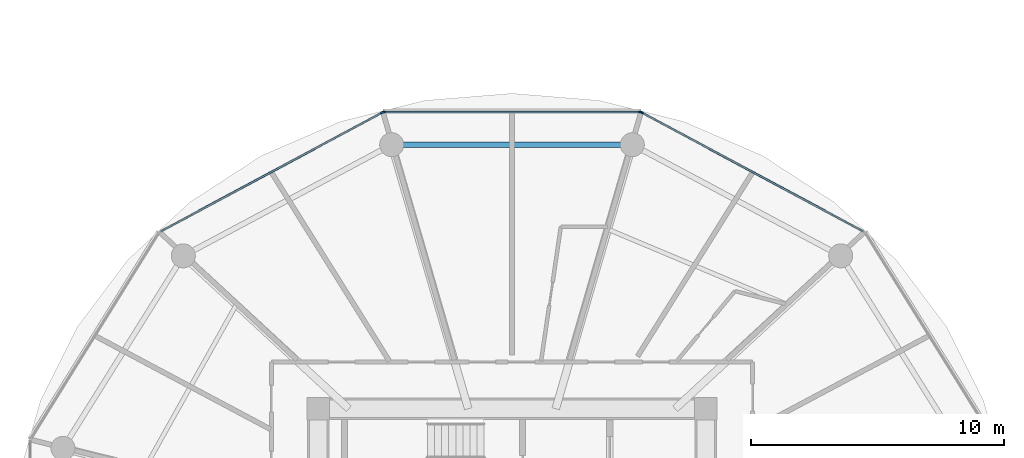
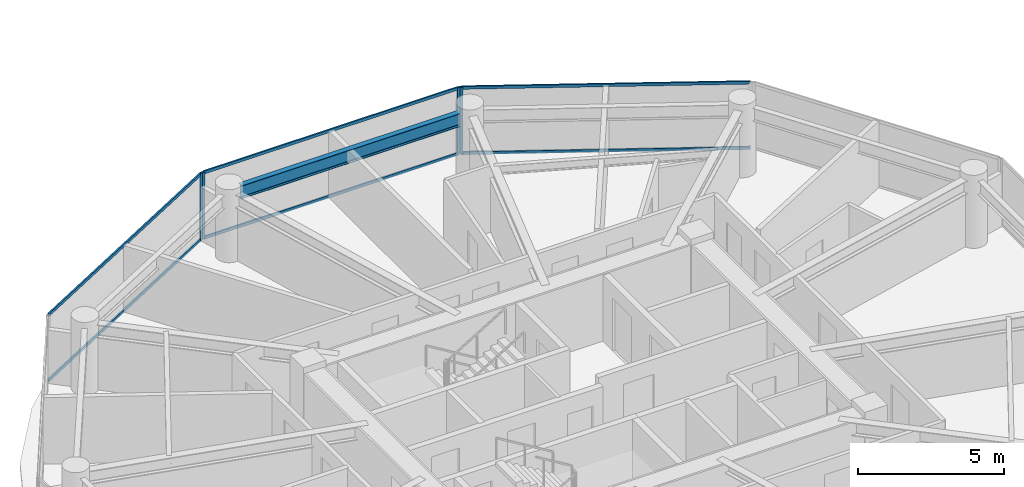
# One storey, part 9 of 26: 10 members, 1 beam, 3 elements without a shape of their own.
"""IFC4 building model written with IfcOpenShell, lengths in metres."""

from ifc_helpers import new_model, si_unit, direction, frame, origin, origin_2d, place, context, subcontext, project, spatial, rectangle, i_section, extrude, source, transform, mapped, material, layer, layer_set, material_profile, profile_set, type_object, type_shapes, element, aggregate, save


model = new_model("IFC4")

# Units and contexts
model_context = context("Model", 3, precision=1e-05, world=origin(), true_north=direction((0.0, 1.0)))
body_context = subcontext(model_context, "Body", "Model", "MODEL_VIEW")
ifc_project = project(units=[si_unit("LENGTHUNIT", "METRE"), si_unit("AREAUNIT", "SQUARE_METRE"), si_unit("VOLUMEUNIT", "CUBIC_METRE"), si_unit("PLANEANGLEUNIT", "RADIAN"), si_unit("MASSUNIT", "GRAM", prefix="KILO")], contexts=[model_context])

# Site, building, storey
site_placement = place(None, origin())
site = spatial("IfcSite", under=ifc_project, at=site_placement, CompositionType="ELEMENT")
building_placement = place(site_placement, origin())
building = spatial("IfcBuilding", under=site, at=building_placement, Name="Norrkilde Senior Care Towers", CompositionType="ELEMENT")
storey_placement = place(building_placement, frame((0.0, 0.0, 55.14990234375)))
storey = spatial("IfcBuildingStorey", under=building, at=storey_placement, Name="L16", CompositionType="ELEMENT", Elevation=55.14990234375)

# Beam
ifc_material_1 = material(Name="Steel S355", Category="steel")
ifc_material_profile_1 = material_profile(ifc_material_1, i_section(OverallWidth=0.2099609375, OverallDepth=0.550048828125, WebThickness=0.010986328125, FlangeThickness=0.01708984375, FilletRadius=0.02392578125, at=origin_2d()), Name="IPE 550")
ifc_profile_set_1 = profile_set([ifc_material_profile_1], Name="Steel S355")
beam_type = type_object("IfcBeamType", Name="Perimeter Ring Spandrel Z1 IPE550", PredefinedType="SPANDREL", material=ifc_profile_set_1)
shared_shape_1 = source(origin(), body_context, "Body", "SweptSolid", [
    extrude(i_section(OverallWidth=0.2099609375, OverallDepth=0.550048828125, WebThickness=0.010986328125, FlangeThickness=0.01708984375, FilletRadius=0.02392578125, at=origin_2d()), origin(), (0.0, 0.0, 1.0), 8.62841796875),
])
type_shapes(beam_type, [shared_shape_1])
beam_placement = place(storey_placement, frame((-23.685791015625, 16.37255859375, 2.51513671875), z_axis=(-1.0, 0.0, 0.0), x_axis=(0.0, -1.0, 0.0)))
element("IfcBeam", 1, at=beam_placement, inside=storey, type_object=beam_type, Name="L16 Drum W Perimeter Spandrel 03", PredefinedType="SPANDREL", context=body_context, shape_type="MappedRepresentation", body=[
    mapped(shared_shape_1, transform((0.0, 0.0, 0.0), x_axis=(1.0, 0.0, 0.0), y_axis=(0.0, 1.0, 0.0), z_axis=(0.0, 0.0, 1.0), scale=1.0)),
])

# Curtain wall, member
ifc_material_2 = material(Name="Triple Low-E Insulated Glazing", Category="glass")
ifc_layer = layer(ifc_material_2, 0.199951171875)
ifc_layer_set = layer_set([ifc_layer], Name="Triple Low-E Insulated Glazing")
curtain_wall_type = type_object("IfcCurtainWallType", Name="CW2 Zone 1 Memory Care Curtain Wall", PredefinedType="NOTDEFINED", material=ifc_layer_set)
curtain_wall_1_placement = place(storey_placement, origin())
curtain_wall_1 = element("IfcCurtainWall", 2, at=curtain_wall_1_placement, inside=storey, type_object=curtain_wall_type, Name="L16 Drum W Curtain Wall 01", PredefinedType="NOTDEFINED")
ifc_material_3 = material(Name="Anodised Aluminium", Category="aluminium")
ifc_material_profile_2 = material_profile(ifc_material_3, rectangle(XDim=0.06494140625, YDim=0.159912109375, at=origin_2d()), Name="ALU MULL 65x160")
ifc_profile_set_2 = profile_set([ifc_material_profile_2], Name="Anodised Aluminium")
member_type_1 = type_object("IfcMemberType", Name="Curtain Wall Mullion Z1-Z2 65x160", PredefinedType="MULLION", material=ifc_profile_set_2)
shared_shape_2 = source(origin(), body_context, "Body", "SweptSolid", [
    extrude(rectangle(XDim=0.06494140625, YDim=0.159912109375, at=origin_2d()), origin(), (0.0, 0.0, 1.0), 2.7900390625),
])
type_shapes(member_type_1, [shared_shape_2])
member_1_placement = place(storey_placement, frame((-22.877685546875, 17.641845703125, 0.0), z_axis=(0.0, 0.0, 1.0), x_axis=(0.472607802456, 0.881272866403, 0.0)))
member_1 = element("IfcMember", 3, at=member_1_placement, type_object=member_type_1, Name="CW-2 mullion 1", PredefinedType="MULLION", context=body_context, shape_type="MappedRepresentation", body=[
    mapped(shared_shape_2, transform((0.0, 0.0, 0.0), x_axis=(1.0, 0.0, 0.0), y_axis=(0.0, 1.0, 0.0), z_axis=(0.0, 0.0, 1.0), scale=1.0)),
])

# Curtain wall, members
curtain_wall_2_placement = place(storey_placement, origin())
curtain_wall_2 = element("IfcCurtainWall", 4, at=curtain_wall_2_placement, inside=storey, type_object=curtain_wall_type, Name="L16 Drum W Curtain Wall 02", PredefinedType="NOTDEFINED")
member_2_placement = place(storey_placement, frame((-33.06103515625, 17.6572265625, 0.0), z_axis=(0.0, 0.0, 1.0), x_axis=(0.0, 1.0, 0.0)))
member_2 = element("IfcMember", 5, at=member_2_placement, type_object=member_type_1, Name="CW-2 mullion 1", PredefinedType="MULLION", context=body_context, shape_type="MappedRepresentation", body=[
    mapped(shared_shape_2, transform((0.0, 0.0, 0.0), x_axis=(1.0, 0.0, 0.0), y_axis=(0.0, 1.0, 0.0), z_axis=(0.0, 0.0, 1.0), scale=1.0)),
])
member_3_placement = place(storey_placement, frame((-22.93896484375, 17.6572265625, 0.0), z_axis=(0.0, 0.0, 1.0), x_axis=(0.0, 1.0, 0.0)))
member_3 = element("IfcMember", 6, at=member_3_placement, type_object=member_type_1, Name="CW-2 mullion 2", PredefinedType="MULLION", context=body_context, shape_type="MappedRepresentation", body=[
    mapped(shared_shape_2, transform((0.0, 0.0, 0.0), x_axis=(1.0, 0.0, 0.0), y_axis=(0.0, 1.0, 0.0), z_axis=(0.0, 0.0, 1.0), scale=1.0)),
])

# Curtain wall, member
curtain_wall_3_placement = place(storey_placement, origin())
curtain_wall_3 = element("IfcCurtainWall", 7, at=curtain_wall_3_placement, inside=storey, type_object=curtain_wall_type, Name="L16 Drum W Curtain Wall 03", PredefinedType="NOTDEFINED")
member_4_placement = place(storey_placement, frame((-33.122314453125, 17.641845703125, 0.0), z_axis=(0.0, 0.0, 1.0), x_axis=(-0.472607802456, 0.881272866403, 0.0)))
member_4 = element("IfcMember", 8, at=member_4_placement, type_object=member_type_1, Name="CW-2 mullion 2", PredefinedType="MULLION", context=body_context, shape_type="MappedRepresentation", body=[
    mapped(shared_shape_2, transform((0.0, 0.0, 0.0), x_axis=(1.0, 0.0, 0.0), y_axis=(0.0, 1.0, 0.0), z_axis=(0.0, 0.0, 1.0), scale=1.0)),
])

# Member
ifc_material_profile_3 = material_profile(ifc_material_3, rectangle(XDim=0.06005859375, YDim=0.1201171875, at=origin_2d()), Name="ALU TRAN 60x120")
ifc_profile_set_3 = profile_set([ifc_material_profile_3], Name="Anodised Aluminium")
member_type_2 = type_object("IfcMemberType", Name="Curtain Wall Transom Typical 60x120", PredefinedType="USERDEFINED", material=ifc_profile_set_3)
shared_shape_3 = source(origin(), body_context, "Body", "SweptSolid", [
    extrude(rectangle(XDim=0.06005859375, YDim=0.1201171875, at=origin_2d()), origin(), (0.0, 0.0, 1.0), 9.880859375),
])
member_5_placement = place(storey_placement, frame((-22.84912109375, 17.62646484375, 0.030029296875), z_axis=(0.881267204043, -0.47261836092, 0.0), x_axis=(0.47261836092, 0.881267204043, 0.0)))
member_5 = element("IfcMember", 9, at=member_5_placement, type_object=member_type_2, Name="CW-2 transom 1.1", ObjectType="TRANSOM", PredefinedType="USERDEFINED", context=body_context, shape_type="MappedRepresentation", body=[
    mapped(shared_shape_3, transform((0.0, 0.0, 0.0), x_axis=(1.0, 0.0, 0.0), y_axis=(0.0, 1.0, 0.0), z_axis=(0.0, 0.0, 1.0), scale=1.0)),
])

member_6_placement = place(storey_placement, frame((-22.84912109375, 17.62646484375, 2.760009765625), z_axis=(0.881267204043, -0.47261836092, 0.0), x_axis=(0.47261836092, 0.881267204043, 0.0)))
member_6 = element("IfcMember", 10, at=member_6_placement, type_object=member_type_2, Name="CW-2 transom 1.2", ObjectType="TRANSOM", PredefinedType="USERDEFINED", context=body_context, shape_type="MappedRepresentation", body=[
    mapped(shared_shape_3, transform((0.0, 0.0, 0.0), x_axis=(1.0, 0.0, 0.0), y_axis=(0.0, 1.0, 0.0), z_axis=(0.0, 0.0, 1.0), scale=1.0)),
])

aggregate(curtain_wall_1, [member_1, member_5, member_6])

member_7_placement = place(storey_placement, frame((-41.858642578125, 12.95654296875, 0.030029296875), z_axis=(0.881267204043, 0.47261836092, 0.0), x_axis=(-0.47261836092, 0.881267204043, 0.0)))
member_7 = element("IfcMember", 11, at=member_7_placement, type_object=member_type_2, Name="CW-2 transom 1.1", ObjectType="TRANSOM", PredefinedType="USERDEFINED", context=body_context, shape_type="MappedRepresentation", body=[
    mapped(shared_shape_3, transform((0.0, 0.0, 0.0), x_axis=(1.0, 0.0, 0.0), y_axis=(0.0, 1.0, 0.0), z_axis=(0.0, 0.0, 1.0), scale=1.0)),
])

member_8_placement = place(storey_placement, frame((-41.858642578125, 12.95654296875, 2.760009765625), z_axis=(0.881267204043, 0.47261836092, 0.0), x_axis=(-0.47261836092, 0.881267204043, 0.0)))
member_8 = element("IfcMember", 12, at=member_8_placement, type_object=member_type_2, Name="CW-2 transom 1.2", ObjectType="TRANSOM", PredefinedType="USERDEFINED", context=body_context, shape_type="MappedRepresentation", body=[
    mapped(shared_shape_3, transform((0.0, 0.0, 0.0), x_axis=(1.0, 0.0, 0.0), y_axis=(0.0, 1.0, 0.0), z_axis=(0.0, 0.0, 1.0), scale=1.0)),
])

aggregate(curtain_wall_3, [member_4, member_7, member_8])

shared_shape_4 = source(origin(), body_context, "Body", "SweptSolid", [
    extrude(rectangle(XDim=0.06005859375, YDim=0.1201171875, at=origin_2d()), origin(), (0.0, 0.0, 1.0), 10.05712890625),
])
type_shapes(member_type_2, [shared_shape_3, shared_shape_4])
member_9_placement = place(storey_placement, frame((-33.028564453125, 17.6572265625, 0.030029296875), z_axis=(1.0, 0.0, 0.0), x_axis=(0.0, 1.0, 0.0)))
member_9 = element("IfcMember", 13, at=member_9_placement, type_object=member_type_2, Name="CW-2 transom 1.1", ObjectType="TRANSOM", PredefinedType="USERDEFINED", context=body_context, shape_type="MappedRepresentation", body=[
    mapped(shared_shape_4, transform((0.0, 0.0, 0.0), x_axis=(1.0, 0.0, 0.0), y_axis=(0.0, 1.0, 0.0), z_axis=(0.0, 0.0, 1.0), scale=1.0)),
])

member_10_placement = place(storey_placement, frame((-33.028564453125, 17.6572265625, 2.760009765625), z_axis=(1.0, 0.0, 0.0), x_axis=(0.0, 1.0, 0.0)))
member_10 = element("IfcMember", 14, at=member_10_placement, type_object=member_type_2, Name="CW-2 transom 1.2", ObjectType="TRANSOM", PredefinedType="USERDEFINED", context=body_context, shape_type="MappedRepresentation", body=[
    mapped(shared_shape_4, transform((0.0, 0.0, 0.0), x_axis=(1.0, 0.0, 0.0), y_axis=(0.0, 1.0, 0.0), z_axis=(0.0, 0.0, 1.0), scale=1.0)),
])

aggregate(curtain_wall_2, [member_2, member_3, member_9, member_10])

save(model, "model.ifc")
